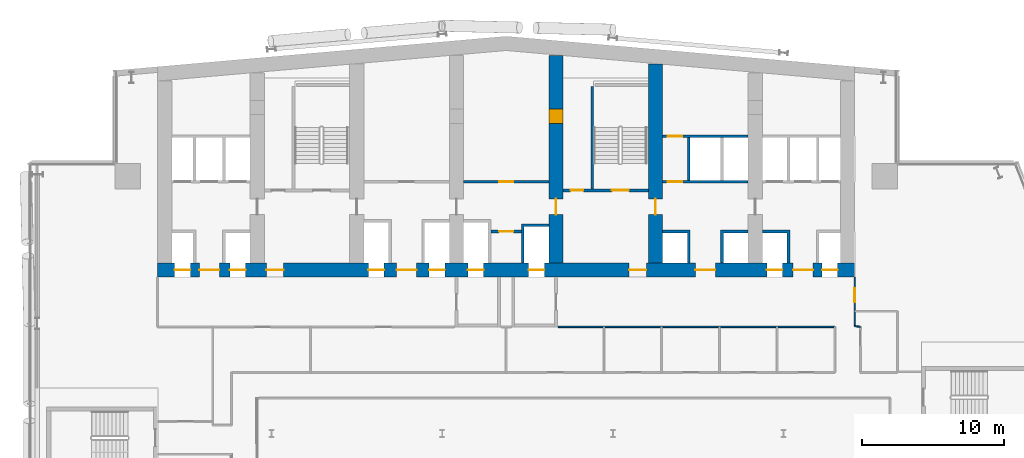
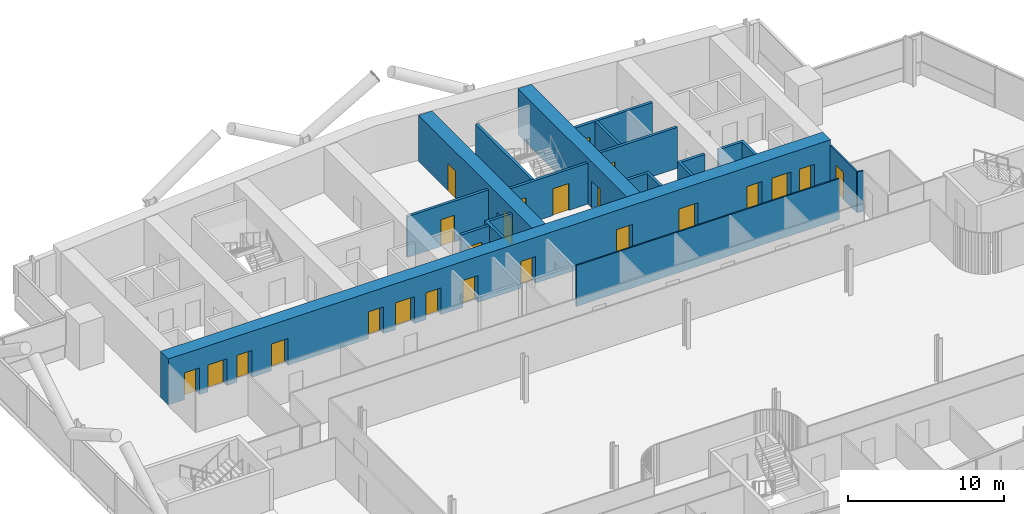
# One storey, part 21 of 30: 24 doors, 17 walls, 24 openings.
"""IFC4 building model written with IfcOpenShell, lengths in metres."""

from ifc_helpers import new_model, si_unit, direction, frame, frame_2d, origin, place, context, subcontext, project, spatial, polyline, rectangle, outline, extrude, material, layer, layer_set, type_object, element, fill, save


model = new_model("IFC4")

# Units and contexts
model_context = context("Model", 3, precision=1e-05, world=origin(), true_north=direction((0.0, 1.0)))
body_context = subcontext(model_context, "Body", "Model", "MODEL_VIEW")
ifc_project = project(units=[si_unit("LENGTHUNIT", "METRE"), si_unit("AREAUNIT", "SQUARE_METRE"), si_unit("VOLUMEUNIT", "CUBIC_METRE"), si_unit("PLANEANGLEUNIT", "RADIAN"), si_unit("MASSUNIT", "GRAM", prefix="KILO")], contexts=[model_context])

# Site, building, storey
site_placement = place(None, origin())
site = spatial("IfcSite", under=ifc_project, at=site_placement, CompositionType="ELEMENT")
building_placement = place(site_placement, origin())
building = spatial("IfcBuilding", under=site, at=building_placement, Name="Wharfspan Tower", CompositionType="ELEMENT")
storey_placement = place(building_placement, frame((0.0, 0.0, 100.300049)))
storey = spatial("IfcBuildingStorey", under=building, at=storey_placement, Name="L22", CompositionType="ELEMENT", Elevation=100.300049)

# Wall, opening, door
ifc_material_1 = material(Name="Gypsum board on steel studs", Category="steel")
ifc_layer_1 = layer(ifc_material_1, 0.100098)
ifc_layer_set_1 = layer_set([ifc_layer_1], Name="Gypsum board on steel studs")
wall_type_1 = type_object("IfcWallType", Name="Compartment wall 100 EI 60", PredefinedType="PARTITIONING", material=ifc_layer_set_1)
wall_1_placement = place(storey_placement, frame((65.0, 30.560059, 0.0), z_axis=(0.0, 0.0, 1.0), x_axis=(0.0, 1.0, 0.0)))
wall_1 = element("IfcWall", 1, at=wall_1_placement, inside=storey, type_object=wall_type_1, Name="Partition L22.w076", PredefinedType="PARTITIONING", context=body_context, shape_type="SweptSolid", body=[
    extrude(rectangle(XDim=3.419922, YDim=0.100098, at=frame_2d((1.709961, 0.0))), origin(), (0.0, 0.0, 1.0), 3.199951),
])
opening_1_placement = place(wall_1_placement, frame((1.659912, 0.0, 0.0)))
opening_1 = element("IfcOpeningElement", 2, at=opening_1_placement, cuts=wall_1, Name="Opening B2-22", PredefinedType="OPENING", context=body_context, shape_type="SweptSolid", body=[
    extrude(rectangle(XDim=1.0, YDim=2.100098, at=frame_2d((0.5, 1.050049))), frame((0.0, 0.060059, 0.0), z_axis=(0.0, -1.0, 0.0), x_axis=(1.0, 0.0, 0.0)), (0.0, 0.0, 1.0), 0.120117),
])
ifc_material_2 = material(Name="Fire-rated timber door leaf in steel frame", Category="steel")
door_type_1 = type_object("IfcDoorType", Name="Door 1000 FD30S Right", OperationType="SINGLE_SWING_RIGHT", PredefinedType="DOOR", material=ifc_material_2)
door_1_placement = place(opening_1_placement, origin())
door_1 = element("IfcDoor", 3, at=door_1_placement, inside=storey, type_object=door_type_1, Name="Door B2-22", OperationType="SINGLE_SWING_RIGHT", OverallHeight=2.100098, OverallWidth=1.0, PredefinedType="DOOR", context=body_context, shape_type="SweptSolid", body=[
    extrude(rectangle(XDim=1.0, YDim=2.100098, at=frame_2d((0.5, 1.050049))), frame((0.0, 0.024902, 0.0), z_axis=(0.0, -1.0, 0.0), x_axis=(1.0, 0.0, 0.0)), (0.0, 0.0, 1.0), 0.050049),
])
fill(opening_1, door_1)

# Walls
wall_2_placement = place(storey_placement, frame((65.39502, 30.5, 0.0), z_axis=(0.0, 0.0, 1.0), x_axis=(-0.988637, 0.150312, 0.0)))
element("IfcWall", 4, at=wall_2_placement, inside=storey, type_object=wall_type_1, Name="Partition L22.w078", PredefinedType="PARTITIONING", context=body_context, shape_type="SweptSolid", body=[
    extrude(rectangle(XDim=0.399658, YDim=0.100098, at=frame_2d((0.199707, 0.0))), origin(), (0.0, 0.0, 1.0), 3.199951),
])
wall_3_placement = place(storey_placement, frame((44.149902, 30.5, 0.0), z_axis=(0.0, 0.0, 1.0), x_axis=(1.0, 0.0, 0.0)))
element("IfcWall", 5, at=wall_3_placement, inside=storey, type_object=wall_type_1, Name="Partition L22.w005 (3)", PredefinedType="PARTITIONING", context=body_context, shape_type="SweptSolid", body=[
    extrude(rectangle(XDim=19.450195, YDim=0.100098, at=frame_2d((9.725098, 0.0))), origin(), (0.0, 0.0, 1.0), 3.199951),
])

# Wall, opening, door
ifc_material_3 = material(Name="Calcium silicate masonry", Category="masonry")
ifc_layer_2 = layer(ifc_material_3, 0.199951)
ifc_layer_set_2 = layer_set([ifc_layer_2], Name="Calcium silicate masonry")
wall_type_2 = type_object("IfcWallType", Name="Core room wall 200", PredefinedType="PARTITIONING", material=ifc_layer_set_2)
wall_4_placement = place(storey_placement, frame((39.43335, 37.199951, 0.0), z_axis=(0.0, 0.0, 1.0), x_axis=(1.0, 0.0, 0.0)))
wall_4 = element("IfcWall", 6, at=wall_4_placement, inside=storey, type_object=wall_type_2, Name="sw:L22:FR4.2", PredefinedType="PARTITIONING", context=body_context, shape_type="SweptSolid", body=[
    extrude(rectangle(XDim=2.133301, YDim=0.199951, at=frame_2d((1.06665, 0.0))), origin(), (0.0, 0.0, 1.0), 3.199951),
])
opening_2_placement = place(wall_4_placement, frame((0.56665, 0.0, 0.0)))
opening_2 = element("IfcOpeningElement", 7, at=opening_2_placement, cuts=wall_4, Name="Opening CD22.4H2", PredefinedType="OPENING", context=body_context, shape_type="SweptSolid", body=[
    extrude(rectangle(XDim=1.0, YDim=2.100098, at=frame_2d((0.5, 1.050049))), frame((0.0, 0.109863, 0.0), z_axis=(0.0, -1.0, 0.0), x_axis=(1.0, 0.0, 0.0)), (0.0, 0.0, 1.0), 0.219971),
])
ifc_material_4 = material(Name="Steel door leaf", Category="steel")
door_type_2 = type_object("IfcDoorType", Name="Core room door 1000x2100", OperationType="SINGLE_SWING_LEFT", PredefinedType="DOOR", material=ifc_material_4)
door_2_placement = place(opening_2_placement, origin())
door_2 = element("IfcDoor", 8, at=door_2_placement, inside=storey, type_object=door_type_2, Name="d:L22:4:fh4.2", OperationType="SINGLE_SWING_RIGHT", OverallHeight=2.100098, OverallWidth=1.0, PredefinedType="DOOR", context=body_context, shape_type="SweptSolid", body=[
    extrude(rectangle(XDim=1.0, YDim=2.100098, at=frame_2d((0.5, 1.050049))), frame((0.0, 0.024902, 0.0), z_axis=(0.0, -1.0, 0.0), x_axis=(1.0, 0.0, 0.0)), (0.0, 0.0, 1.0), 0.050049),
])
fill(opening_2, door_2)

# Wall, openings, doors
ifc_material_5 = material(Name="Concrete C70/85", Category="concrete")
ifc_layer_3 = layer(ifc_material_5, 1.0)
ifc_layer_set_3 = layer_set([ifc_layer_3], Name="Concrete C70/85")
wall_type_3 = type_object("IfcWallType", Name="Core wall 1000 C70/85", PredefinedType="SHEAR", material=ifc_layer_set_3)
wall_5_placement = place(storey_placement, frame((16.0, 34.5, 0.0), z_axis=(0.0, 0.0, 1.0), x_axis=(1.0, 0.0, 0.0)))
wall_5 = element("IfcWall", 9, at=wall_5_placement, inside=storey, type_object=wall_type_3, Name="Core front wall L22", PredefinedType="SHEAR", context=body_context, shape_type="SweptSolid", body=[
    extrude(rectangle(XDim=49.0, YDim=1.0, at=frame_2d((24.5, 0.0))), origin(), (0.0, 0.0, 1.0), 3.599854),
])
opening_3_placement = place(wall_5_placement, frame((1.199951, 0.0, 0.0)))
opening_3 = element("IfcOpeningElement", 10, at=opening_3_placement, cuts=wall_5, Name="Opening LD.LA1.L22", PredefinedType="OPENING", context=body_context, shape_type="SweptSolid", body=[
    extrude(rectangle(XDim=1.100098, YDim=2.100098, at=frame_2d((0.550049, 1.050049))), frame((0.0, 0.51001, 0.0), z_axis=(0.0, -1.0, 0.0), x_axis=(1.0, 0.0, 0.0)), (0.0, 0.0, 1.0), 1.02002),
])
opening_4_placement = place(wall_5_placement, frame((5.083252, 0.0, 0.0)))
opening_4 = element("IfcOpeningElement", 11, at=opening_4_placement, cuts=wall_5, Name="Opening LD.LA2.L22", PredefinedType="OPENING", context=body_context, shape_type="SweptSolid", body=[
    extrude(rectangle(XDim=1.100098, YDim=2.100098, at=frame_2d((0.550049, 1.050049))), frame((0.0, 0.51001, 0.0), z_axis=(0.0, -1.0, 0.0), x_axis=(1.0, 0.0, 0.0)), (0.0, 0.0, 1.0), 1.02002),
])
opening_5_placement = place(wall_5_placement, frame((2.93335, 0.0, 0.0)))
opening_5 = element("IfcOpeningElement", 12, at=opening_5_placement, cuts=wall_5, Name="Opening HD22.1", PredefinedType="OPENING", context=body_context, shape_type="SweptSolid", body=[
    extrude(rectangle(XDim=1.399902, YDim=2.100098, at=frame_2d((0.699951, 1.050049))), frame((0.0, 0.51001, 0.0), z_axis=(0.0, -1.0, 0.0), x_axis=(1.0, 0.0, 0.0)), (0.0, 0.0, 1.0), 1.02002),
])
opening_6_placement = place(wall_5_placement, frame((7.649902, 0.0, 0.0)))
opening_6 = element("IfcOpeningElement", 13, at=opening_6_placement, cuts=wall_5, Name="Opening SV2.L22", PredefinedType="OPENING", context=body_context, shape_type="SweptSolid", body=[
    extrude(rectangle(XDim=1.199951, YDim=2.100098, at=frame_2d((0.600098, 1.050049))), frame((0.0, 0.51001, 0.0), z_axis=(0.0, -1.0, 0.0), x_axis=(1.0, 0.0, 0.0)), (0.0, 0.0, 1.0), 1.02002),
])
opening_7_placement = place(wall_5_placement, frame((14.81665, 0.0, 0.0)))
opening_7 = element("IfcOpeningElement", 14, at=opening_7_placement, cuts=wall_5, Name="Opening LD.SL1.L22", PredefinedType="OPENING", context=body_context, shape_type="SweptSolid", body=[
    extrude(rectangle(XDim=1.100098, YDim=2.100098, at=frame_2d((0.550049, 1.050049))), frame((0.0, 0.51001, 0.0), z_axis=(0.0, -1.0, 0.0), x_axis=(1.0, 0.0, 0.0)), (0.0, 0.0, 1.0), 1.02002),
])
opening_8_placement = place(wall_5_placement, frame((19.083252, 0.0, 0.0)))
opening_8 = element("IfcOpeningElement", 15, at=opening_8_placement, cuts=wall_5, Name="Opening LD.SL2.L22", PredefinedType="OPENING", context=body_context, shape_type="SweptSolid", body=[
    extrude(rectangle(XDim=1.100098, YDim=2.100098, at=frame_2d((0.550049, 1.050049))), frame((0.0, 0.51001, 0.0), z_axis=(0.0, -1.0, 0.0), x_axis=(1.0, 0.0, 0.0)), (0.0, 0.0, 1.0), 1.02002),
])
opening_9_placement = place(wall_5_placement, frame((16.800049, 0.0, 0.0)))
opening_9 = element("IfcOpeningElement", 16, at=opening_9_placement, cuts=wall_5, Name="Opening HD22.3", PredefinedType="OPENING", context=body_context, shape_type="SweptSolid", body=[
    extrude(rectangle(XDim=1.399902, YDim=2.100098, at=frame_2d((0.699951, 1.050049))), frame((0.0, 0.51001, 0.0), z_axis=(0.0, -1.0, 0.0), x_axis=(1.0, 0.0, 0.0)), (0.0, 0.0, 1.0), 1.02002),
])
opening_10_placement = place(wall_5_placement, frame((21.81665, 0.0, 0.0)))
opening_10 = element("IfcOpeningElement", 17, at=opening_10_placement, cuts=wall_5, Name="Opening LD.FF1.L22", PredefinedType="OPENING", context=body_context, shape_type="SweptSolid", body=[
    extrude(rectangle(XDim=1.100098, YDim=2.100098, at=frame_2d((0.550049, 1.050049))), frame((0.0, 0.51001, 0.0), z_axis=(0.0, -1.0, 0.0), x_axis=(1.0, 0.0, 0.0)), (0.0, 0.0, 1.0), 1.02002),
])
opening_11_placement = place(wall_5_placement, frame((26.083252, 0.0, 0.0)))
opening_11 = element("IfcOpeningElement", 18, at=opening_11_placement, cuts=wall_5, Name="Opening LD.FF2.L22", PredefinedType="OPENING", context=body_context, shape_type="SweptSolid", body=[
    extrude(rectangle(XDim=1.100098, YDim=2.100098, at=frame_2d((0.550049, 1.050049))), frame((0.0, 0.51001, 0.0), z_axis=(0.0, -1.0, 0.0), x_axis=(1.0, 0.0, 0.0)), (0.0, 0.0, 1.0), 1.02002),
])
opening_12_placement = place(wall_5_placement, frame((33.149902, 0.0, 0.0)))
opening_12 = element("IfcOpeningElement", 19, at=opening_12_placement, cuts=wall_5, Name="Opening SV5.L22", PredefinedType="OPENING", context=body_context, shape_type="SweptSolid", body=[
    extrude(rectangle(XDim=1.199951, YDim=2.100098, at=frame_2d((0.600098, 1.050049))), frame((0.0, 0.51001, 0.0), z_axis=(0.0, -1.0, 0.0), x_axis=(1.0, 0.0, 0.0)), (0.0, 0.0, 1.0), 1.02002),
])
opening_13_placement = place(wall_5_placement, frame((37.800049, 0.0, 0.0)))
opening_13 = element("IfcOpeningElement", 20, at=opening_13_placement, cuts=wall_5, Name="Opening HD22.6", PredefinedType="OPENING", context=body_context, shape_type="SweptSolid", body=[
    extrude(rectangle(XDim=1.399902, YDim=2.100098, at=frame_2d((0.699951, 1.050049))), frame((0.0, 0.51001, 0.0), z_axis=(0.0, -1.0, 0.0), x_axis=(1.0, 0.0, 0.0)), (0.0, 0.0, 1.0), 1.02002),
])
opening_14_placement = place(wall_5_placement, frame((42.81665, 0.0, 0.0)))
opening_14 = element("IfcOpeningElement", 21, at=opening_14_placement, cuts=wall_5, Name="Opening LD.LA6.L22", PredefinedType="OPENING", context=body_context, shape_type="SweptSolid", body=[
    extrude(rectangle(XDim=1.100098, YDim=2.100098, at=frame_2d((0.550049, 1.050049))), frame((0.0, 0.51001, 0.0), z_axis=(0.0, -1.0, 0.0), x_axis=(1.0, 0.0, 0.0)), (0.0, 0.0, 1.0), 1.02002),
])
opening_15_placement = place(wall_5_placement, frame((46.699951, 0.0, 0.0)))
opening_15 = element("IfcOpeningElement", 22, at=opening_15_placement, cuts=wall_5, Name="Opening LD.LA7.L22", PredefinedType="OPENING", context=body_context, shape_type="SweptSolid", body=[
    extrude(rectangle(XDim=1.100098, YDim=2.100098, at=frame_2d((0.550049, 1.050049))), frame((0.0, 0.51001, 0.0), z_axis=(0.0, -1.0, 0.0), x_axis=(1.0, 0.0, 0.0)), (0.0, 0.0, 1.0), 1.02002),
])
opening_16_placement = place(wall_5_placement, frame((44.666748, 0.0, 0.0)))
opening_16 = element("IfcOpeningElement", 23, at=opening_16_placement, cuts=wall_5, Name="Opening HD22.7", PredefinedType="OPENING", context=body_context, shape_type="SweptSolid", body=[
    extrude(rectangle(XDim=1.399902, YDim=2.100098, at=frame_2d((0.699951, 1.050049))), frame((0.0, 0.51001, 0.0), z_axis=(0.0, -1.0, 0.0), x_axis=(1.0, 0.0, 0.0)), (0.0, 0.0, 1.0), 1.02002),
])
door_type_3 = type_object("IfcDoorType", Name="Hall entry door 1400x2100", OperationType="DOUBLE_DOOR_SINGLE_SWING", PredefinedType="DOOR", material=ifc_material_4)
door_3_placement = place(opening_5_placement, origin())
door_3 = element("IfcDoor", 24, at=door_3_placement, inside=storey, type_object=door_type_3, Name="d:L22:1:hd1", OperationType="DOUBLE_DOOR_SINGLE_SWING", OverallHeight=2.100098, OverallWidth=1.399902, PredefinedType="DOOR", context=body_context, shape_type="SweptSolid", body=[
    extrude(rectangle(XDim=1.399902, YDim=2.100098, at=frame_2d((0.699951, 1.050049))), frame((0.0, 0.024902, 0.0), z_axis=(0.0, -1.0, 0.0), x_axis=(1.0, 0.0, 0.0)), (0.0, 0.0, 1.0), 0.050049),
])
fill(opening_5, door_3)
door_4_placement = place(opening_9_placement, origin())
door_4 = element("IfcDoor", 25, at=door_4_placement, inside=storey, type_object=door_type_3, Name="d:L22:3:hd3", OperationType="DOUBLE_DOOR_SINGLE_SWING", OverallHeight=2.100098, OverallWidth=1.399902, PredefinedType="DOOR", context=body_context, shape_type="SweptSolid", body=[
    extrude(rectangle(XDim=1.399902, YDim=2.100098, at=frame_2d((0.699951, 1.050049))), frame((0.0, 0.024902, 0.0), z_axis=(0.0, -1.0, 0.0), x_axis=(1.0, 0.0, 0.0)), (0.0, 0.0, 1.0), 0.050049),
])
fill(opening_9, door_4)
door_5_placement = place(opening_13_placement, origin())
door_5 = element("IfcDoor", 26, at=door_5_placement, inside=storey, type_object=door_type_3, Name="d:L22:6:hd6", OperationType="DOUBLE_DOOR_SINGLE_SWING", OverallHeight=2.100098, OverallWidth=1.399902, PredefinedType="DOOR", context=body_context, shape_type="SweptSolid", body=[
    extrude(rectangle(XDim=1.399902, YDim=2.100098, at=frame_2d((0.699951, 1.050049))), frame((0.0, 0.024902, 0.0), z_axis=(0.0, -1.0, 0.0), x_axis=(1.0, 0.0, 0.0)), (0.0, 0.0, 1.0), 0.050049),
])
fill(opening_13, door_5)
door_6_placement = place(opening_16_placement, origin())
door_6 = element("IfcDoor", 27, at=door_6_placement, inside=storey, type_object=door_type_3, Name="d:L22:7:hd7", OperationType="DOUBLE_DOOR_SINGLE_SWING", OverallHeight=2.100098, OverallWidth=1.399902, PredefinedType="DOOR", context=body_context, shape_type="SweptSolid", body=[
    extrude(rectangle(XDim=1.399902, YDim=2.100098, at=frame_2d((0.699951, 1.050049))), frame((0.0, 0.024902, 0.0), z_axis=(0.0, -1.0, 0.0), x_axis=(1.0, 0.0, 0.0)), (0.0, 0.0, 1.0), 0.050049),
])
fill(opening_16, door_6)
ifc_material_6 = material(Name="Stainless steel", Category="steel")
door_type_4 = type_object("IfcDoorType", Name="Lift landing door 1100x2100", OperationType="DOUBLE_DOOR_SLIDING", PredefinedType="DOOR", material=ifc_material_6)
door_7_placement = place(opening_3_placement, origin())
door_7 = element("IfcDoor", 28, at=door_7_placement, inside=storey, type_object=door_type_4, Name="Landing door LA1 L22", OperationType="DOUBLE_DOOR_SLIDING", OverallHeight=2.100098, OverallWidth=1.100098, PredefinedType="DOOR", context=body_context, shape_type="SweptSolid", body=[
    extrude(rectangle(XDim=1.100098, YDim=2.100098, at=frame_2d((0.550049, 1.050049))), frame((0.0, 0.024902, 0.0), z_axis=(0.0, -1.0, 0.0), x_axis=(1.0, 0.0, 0.0)), (0.0, 0.0, 1.0), 0.050049),
])
fill(opening_3, door_7)
door_8_placement = place(opening_4_placement, origin())
door_8 = element("IfcDoor", 29, at=door_8_placement, inside=storey, type_object=door_type_4, Name="Landing door LA2 L22", OperationType="DOUBLE_DOOR_SLIDING", OverallHeight=2.100098, OverallWidth=1.100098, PredefinedType="DOOR", context=body_context, shape_type="SweptSolid", body=[
    extrude(rectangle(XDim=1.100098, YDim=2.100098, at=frame_2d((0.550049, 1.050049))), frame((0.0, 0.024902, 0.0), z_axis=(0.0, -1.0, 0.0), x_axis=(1.0, 0.0, 0.0)), (0.0, 0.0, 1.0), 0.050049),
])
fill(opening_4, door_8)
door_9_placement = place(opening_7_placement, origin())
door_9 = element("IfcDoor", 30, at=door_9_placement, inside=storey, type_object=door_type_4, Name="Landing door SL1 L22", OperationType="DOUBLE_DOOR_SLIDING", OverallHeight=2.100098, OverallWidth=1.100098, PredefinedType="DOOR", context=body_context, shape_type="SweptSolid", body=[
    extrude(rectangle(XDim=1.100098, YDim=2.100098, at=frame_2d((0.550049, 1.050049))), frame((0.0, 0.024902, 0.0), z_axis=(0.0, -1.0, 0.0), x_axis=(1.0, 0.0, 0.0)), (0.0, 0.0, 1.0), 0.050049),
])
fill(opening_7, door_9)
door_10_placement = place(opening_8_placement, origin())
door_10 = element("IfcDoor", 31, at=door_10_placement, inside=storey, type_object=door_type_4, Name="Landing door SL2 L22", OperationType="DOUBLE_DOOR_SLIDING", OverallHeight=2.100098, OverallWidth=1.100098, PredefinedType="DOOR", context=body_context, shape_type="SweptSolid", body=[
    extrude(rectangle(XDim=1.100098, YDim=2.100098, at=frame_2d((0.550049, 1.050049))), frame((0.0, 0.024902, 0.0), z_axis=(0.0, -1.0, 0.0), x_axis=(1.0, 0.0, 0.0)), (0.0, 0.0, 1.0), 0.050049),
])
fill(opening_8, door_10)
door_11_placement = place(opening_10_placement, origin())
door_11 = element("IfcDoor", 32, at=door_11_placement, inside=storey, type_object=door_type_4, Name="Landing door FF1 L22", OperationType="DOUBLE_DOOR_SLIDING", OverallHeight=2.100098, OverallWidth=1.100098, PredefinedType="DOOR", context=body_context, shape_type="SweptSolid", body=[
    extrude(rectangle(XDim=1.100098, YDim=2.100098, at=frame_2d((0.550049, 1.050049))), frame((0.0, 0.024902, 0.0), z_axis=(0.0, -1.0, 0.0), x_axis=(1.0, 0.0, 0.0)), (0.0, 0.0, 1.0), 0.050049),
])
fill(opening_10, door_11)
door_12_placement = place(opening_11_placement, origin())
door_12 = element("IfcDoor", 33, at=door_12_placement, inside=storey, type_object=door_type_4, Name="Landing door FF2 L22", OperationType="DOUBLE_DOOR_SLIDING", OverallHeight=2.100098, OverallWidth=1.100098, PredefinedType="DOOR", context=body_context, shape_type="SweptSolid", body=[
    extrude(rectangle(XDim=1.100098, YDim=2.100098, at=frame_2d((0.550049, 1.050049))), frame((0.0, 0.024902, 0.0), z_axis=(0.0, -1.0, 0.0), x_axis=(1.0, 0.0, 0.0)), (0.0, 0.0, 1.0), 0.050049),
])
fill(opening_11, door_12)
door_13_placement = place(opening_14_placement, origin())
door_13 = element("IfcDoor", 34, at=door_13_placement, inside=storey, type_object=door_type_4, Name="Landing door LA6 L22", OperationType="DOUBLE_DOOR_SLIDING", OverallHeight=2.100098, OverallWidth=1.100098, PredefinedType="DOOR", context=body_context, shape_type="SweptSolid", body=[
    extrude(rectangle(XDim=1.100098, YDim=2.100098, at=frame_2d((0.550049, 1.050049))), frame((0.0, 0.024902, 0.0), z_axis=(0.0, -1.0, 0.0), x_axis=(1.0, 0.0, 0.0)), (0.0, 0.0, 1.0), 0.050049),
])
fill(opening_14, door_13)
door_14_placement = place(opening_15_placement, origin())
door_14 = element("IfcDoor", 35, at=door_14_placement, inside=storey, type_object=door_type_4, Name="Landing door LA7 L22", OperationType="DOUBLE_DOOR_SLIDING", OverallHeight=2.100098, OverallWidth=1.100098, PredefinedType="DOOR", context=body_context, shape_type="SweptSolid", body=[
    extrude(rectangle(XDim=1.100098, YDim=2.100098, at=frame_2d((0.550049, 1.050049))), frame((0.0, 0.024902, 0.0), z_axis=(0.0, -1.0, 0.0), x_axis=(1.0, 0.0, 0.0)), (0.0, 0.0, 1.0), 0.050049),
])
fill(opening_15, door_14)
door_type_5 = type_object("IfcDoorType", Name="Stair door 1200x2100", OperationType="SINGLE_SWING_LEFT", PredefinedType="DOOR", material=ifc_material_4)
door_15_placement = place(opening_6_placement, origin())
door_15 = element("IfcDoor", 36, at=door_15_placement, inside=storey, type_object=door_type_5, Name="vd:L22:2", OperationType="SINGLE_SWING_LEFT", OverallHeight=2.100098, OverallWidth=1.199951, PredefinedType="DOOR", context=body_context, shape_type="SweptSolid", body=[
    extrude(rectangle(XDim=1.199951, YDim=2.100098, at=frame_2d((0.600098, 1.050049))), frame((0.0, 0.024902, 0.0), z_axis=(0.0, -1.0, 0.0), x_axis=(1.0, 0.0, 0.0)), (0.0, 0.0, 1.0), 0.050049),
])
fill(opening_6, door_15)
door_16_placement = place(opening_12_placement, origin())
door_16 = element("IfcDoor", 37, at=door_16_placement, inside=storey, type_object=door_type_5, Name="vd:L22:5", OperationType="SINGLE_SWING_LEFT", OverallHeight=2.100098, OverallWidth=1.199951, PredefinedType="DOOR", context=body_context, shape_type="SweptSolid", body=[
    extrude(rectangle(XDim=1.199951, YDim=2.100098, at=frame_2d((0.600098, 1.050049))), frame((0.0, 0.024902, 0.0), z_axis=(0.0, -1.0, 0.0), x_axis=(1.0, 0.0, 0.0)), (0.0, 0.0, 1.0), 0.050049),
])
fill(opening_12, door_16)

wall_6_placement = place(storey_placement, frame((44.0, 35.0, 0.0), z_axis=(0.0, 0.0, 1.0), x_axis=(0.0, 1.0, 0.0)))
wall_6 = element("IfcWall", 38, at=wall_6_placement, inside=storey, type_object=wall_type_3, Name="Core cross wall X5 L22", PredefinedType="SHEAR", context=body_context, shape_type="SweptSolid", body=[
    extrude(rectangle(XDim=14.577148, YDim=1.0, at=frame_2d((7.288574, 0.0))), origin(), (0.0, 0.0, 1.0), 3.599854),
])
opening_17_placement = place(wall_6_placement, frame((3.399902, 0.0, 0.0)))
opening_17 = element("IfcOpeningElement", 39, at=opening_17_placement, cuts=wall_6, Name="Opening CC22.5", PredefinedType="OPENING", context=body_context, shape_type="SweptSolid", body=[
    extrude(rectangle(XDim=1.100098, YDim=2.100098, at=frame_2d((0.550049, 1.050049))), frame((0.0, 0.51001, 0.0), z_axis=(0.0, -1.0, 0.0), x_axis=(1.0, 0.0, 0.0)), (0.0, 0.0, 1.0), 1.02002),
])
opening_18_placement = place(wall_6_placement, frame((9.800049, 0.0, 0.0)))
opening_18 = element("IfcOpeningElement", 40, at=opening_18_placement, cuts=wall_6, Name="Opening CR22.5", PredefinedType="OPENING", context=body_context, shape_type="SweptSolid", body=[
    extrude(rectangle(XDim=1.0, YDim=2.100098, at=frame_2d((0.5, 1.050049))), frame((0.0, 0.51001, 0.0), z_axis=(0.0, -1.0, 0.0), x_axis=(1.0, 0.0, 0.0)), (0.0, 0.0, 1.0), 1.02002),
])
door_type_6 = type_object("IfcDoorType", Name="Core corridor door 1100x2100", OperationType="SINGLE_SWING_LEFT", PredefinedType="DOOR", material=ifc_material_4)
door_17_placement = place(opening_17_placement, origin())
door_17 = element("IfcDoor", 41, at=door_17_placement, inside=storey, type_object=door_type_6, Name="xd:L22:5", OperationType="SINGLE_SWING_LEFT", OverallHeight=2.100098, OverallWidth=1.100098, PredefinedType="DOOR", context=body_context, shape_type="SweptSolid", body=[
    extrude(rectangle(XDim=1.100098, YDim=2.100098, at=frame_2d((0.550049, 1.050049))), frame((0.0, 0.024902, 0.0), z_axis=(0.0, -1.0, 0.0), x_axis=(1.0, 0.0, 0.0)), (0.0, 0.0, 1.0), 0.050049),
])
fill(opening_17, door_17)
door_18_placement = place(opening_18_placement, origin())
door_18 = element("IfcDoor", 42, at=door_18_placement, inside=storey, type_object=door_type_2, Name="xr:L22:5", OperationType="SINGLE_SWING_RIGHT", OverallHeight=2.100098, OverallWidth=1.0, PredefinedType="DOOR", context=body_context, shape_type="SweptSolid", body=[
    extrude(rectangle(XDim=1.0, YDim=2.100098, at=frame_2d((0.5, 1.050049))), frame((0.0, 0.499756, 0.0), z_axis=(0.0, -1.0, 0.0), x_axis=(1.0, 0.0, 0.0)), (0.0, 0.0, 1.0), 0.999512),
])
fill(opening_18, door_18)

# Wall, opening, door
wall_7_placement = place(storey_placement, frame((51.0, 35.0, 0.0), z_axis=(0.0, 0.0, 1.0), x_axis=(0.0, 1.0, 0.0)))
wall_7 = element("IfcWall", 43, at=wall_7_placement, inside=storey, type_object=wall_type_3, Name="Core cross wall X6 L22", PredefinedType="SHEAR", context=body_context, shape_type="SweptSolid", body=[
    extrude(rectangle(XDim=13.9646, YDim=1.0, at=frame_2d((6.982422, 0.0))), origin(), (0.0, 0.0, 1.0), 3.599854),
])
opening_19_placement = place(wall_7_placement, frame((3.399902, 0.0, 0.0)))
opening_19 = element("IfcOpeningElement", 44, at=opening_19_placement, cuts=wall_7, Name="Opening CC22.6", PredefinedType="OPENING", context=body_context, shape_type="SweptSolid", body=[
    extrude(rectangle(XDim=1.100098, YDim=2.100098, at=frame_2d((0.550049, 1.050049))), frame((0.0, 0.51001, 0.0), z_axis=(0.0, -1.0, 0.0), x_axis=(1.0, 0.0, 0.0)), (0.0, 0.0, 1.0), 1.02002),
])
door_19_placement = place(opening_19_placement, origin())
door_19 = element("IfcDoor", 45, at=door_19_placement, inside=storey, type_object=door_type_6, Name="xd:L22:6", OperationType="SINGLE_SWING_RIGHT", OverallHeight=2.100098, OverallWidth=1.100098, PredefinedType="DOOR", context=body_context, shape_type="SweptSolid", body=[
    extrude(rectangle(XDim=1.100098, YDim=2.100098, at=frame_2d((0.550049, 1.050049))), frame((0.0, 0.024902, 0.0), z_axis=(0.0, -1.0, 0.0), x_axis=(1.0, 0.0, 0.0)), (0.0, 0.0, 1.0), 0.050049),
])
fill(opening_19, door_19)

ifc_material_7 = material(Name="Concrete C30/37", Category="concrete")
ifc_layer_4 = layer(ifc_material_7, 0.199951)
ifc_layer_set_4 = layer_set([ifc_layer_4], Name="Concrete C30/37")
wall_type_4 = type_object("IfcWallType", Name="Lift shaft wall 200", PredefinedType="PARTITIONING", material=ifc_layer_set_4)
wall_8_placement = place(storey_placement, frame((37.5, 40.699951, 0.0), z_axis=(0.0, 0.0, 1.0), x_axis=(1.0, 0.0, 0.0)))
wall_8 = element("IfcWall", 46, at=wall_8_placement, inside=storey, type_object=wall_type_4, Name="sw:L22:RF4", PredefinedType="PARTITIONING", context=body_context, shape_type="SweptSolid", body=[
    extrude(rectangle(XDim=6.0, YDim=0.199951, at=frame_2d((3.0, 0.0))), origin(), (0.0, 0.0, 1.0), 3.199951),
])
opening_20_placement = place(wall_8_placement, frame((2.5, 0.0, 0.0)))
opening_20 = element("IfcOpeningElement", 47, at=opening_20_placement, cuts=wall_8, Name="Opening CD22.4S", PredefinedType="OPENING", context=body_context, shape_type="SweptSolid", body=[
    extrude(rectangle(XDim=1.0, YDim=2.100098, at=frame_2d((0.5, 1.050049))), frame((0.0, 0.109863, 0.0), z_axis=(0.0, -1.0, 0.0), x_axis=(1.0, 0.0, 0.0)), (0.0, 0.0, 1.0), 0.219971),
])
door_20_placement = place(opening_20_placement, origin())
door_20 = element("IfcDoor", 48, at=door_20_placement, inside=storey, type_object=door_type_2, Name="d:L22:4:sf", OperationType="SINGLE_SWING_LEFT", OverallHeight=2.100098, OverallWidth=1.0, PredefinedType="DOOR", context=body_context, shape_type="SweptSolid", body=[
    extrude(rectangle(XDim=1.0, YDim=2.100098, at=frame_2d((0.5, 1.050049))), frame((0.0, 0.024902, 0.0), z_axis=(0.0, -1.0, 0.0), x_axis=(1.0, 0.0, 0.0)), (0.0, 0.0, 1.0), 0.050049),
])
fill(opening_20, door_20)

# Wall
wall_9_placement = place(storey_placement, frame((0.0, 0.0, -0.000244)))
element("IfcWall", 49, at=wall_9_placement, inside=storey, type_object=wall_type_4, Name="sw:L22:FM4.0", PredefinedType="PARTITIONING", context=body_context, shape_type="SweptSolid", body=[
    extrude(outline(polyline([(41.56665, 37.75), (41.766602, 37.75), (43.5, 37.75), (43.5, 37.550049), (41.766602, 37.550049), (41.766602, 35.0), (41.56665, 35.0), (41.56665, 37.75)])), origin(), (0.0, 0.0, 1.0), 3.200195),
])

# Wall, opening, door
wall_10_placement = place(storey_placement, frame((51.5, 40.699951, 0.0), z_axis=(0.0, 0.0, 1.0), x_axis=(1.0, 0.0, 0.0)))
wall_10 = element("IfcWall", 50, at=wall_10_placement, inside=storey, type_object=wall_type_4, Name="sw:L22:RF6", PredefinedType="PARTITIONING", context=body_context, shape_type="SweptSolid", body=[
    extrude(rectangle(XDim=6.0, YDim=0.199951, at=frame_2d((3.0, 0.0))), origin(), (0.0, 0.0, 1.0), 3.199951),
])
opening_21_placement = place(wall_10_placement, frame((0.366699, 0.0, 0.0)))
opening_21 = element("IfcOpeningElement", 51, at=opening_21_placement, cuts=wall_10, Name="Opening CD22.6R1", PredefinedType="OPENING", context=body_context, shape_type="SweptSolid", body=[
    extrude(rectangle(XDim=1.0, YDim=2.100098, at=frame_2d((0.5, 1.050049))), frame((0.0, 0.109863, 0.0), z_axis=(0.0, -1.0, 0.0), x_axis=(1.0, 0.0, 0.0)), (0.0, 0.0, 1.0), 0.219971),
])
door_21_placement = place(opening_21_placement, origin())
door_21 = element("IfcDoor", 52, at=door_21_placement, inside=storey, type_object=door_type_2, Name="d:L22:6:rd6.1", OperationType="SINGLE_SWING_RIGHT", OverallHeight=2.100098, OverallWidth=1.0, PredefinedType="DOOR", context=body_context, shape_type="SweptSolid", body=[
    extrude(rectangle(XDim=1.0, YDim=2.100098, at=frame_2d((0.5, 1.050049))), frame((0.0, 0.024902, 0.0), z_axis=(0.0, -1.0, 0.0), x_axis=(1.0, 0.0, 0.0)), (0.0, 0.0, 1.0), 0.050049),
])
fill(opening_21, door_21)

wall_11_placement = place(storey_placement, frame((51.5, 43.899902, 0.0), z_axis=(0.0, 0.0, 1.0), x_axis=(1.0, 0.0, 0.0)))
wall_11 = element("IfcWall", 53, at=wall_11_placement, inside=storey, type_object=wall_type_4, Name="sw:L22:RR6", PredefinedType="PARTITIONING", context=body_context, shape_type="SweptSolid", body=[
    extrude(rectangle(XDim=6.0, YDim=0.199951, at=frame_2d((3.0, 0.0))), origin(), (0.0, 0.0, 1.0), 3.199951),
])
opening_22_placement = place(wall_11_placement, frame((0.366699, 0.0, 0.0)))
opening_22 = element("IfcOpeningElement", 54, at=opening_22_placement, cuts=wall_11, Name="Opening CD22.6S1", PredefinedType="OPENING", context=body_context, shape_type="SweptSolid", body=[
    extrude(rectangle(XDim=1.0, YDim=2.100098, at=frame_2d((0.5, 1.050049))), frame((0.0, 0.109863, 0.0), z_axis=(0.0, -1.0, 0.0), x_axis=(1.0, 0.0, 0.0)), (0.0, 0.0, 1.0), 0.219971),
])
door_22_placement = place(opening_22_placement, origin())
door_22 = element("IfcDoor", 55, at=door_22_placement, inside=storey, type_object=door_type_2, Name="d:L22:6:rs6.1", OperationType="SINGLE_SWING_LEFT", OverallHeight=2.100098, OverallWidth=1.0, PredefinedType="DOOR", context=body_context, shape_type="SweptSolid", body=[
    extrude(rectangle(XDim=1.0, YDim=2.100098, at=frame_2d((0.5, 1.050049))), frame((0.0, 0.024902, 0.0), z_axis=(0.0, -1.0, 0.0), x_axis=(1.0, 0.0, 0.0)), (0.0, 0.0, 1.0), 0.050049),
])
fill(opening_22, door_22)

# Walls
wall_12_placement = place(storey_placement, frame((0.0, 0.0, -0.000244)))
element("IfcWall", 56, at=wall_12_placement, inside=storey, type_object=wall_type_4, Name="sw:L22:FM6.0", PredefinedType="PARTITIONING", context=body_context, shape_type="SweptSolid", body=[
    extrude(outline(polyline([(53.233398, 37.100098), (51.5, 37.100098), (51.5, 37.300049), (53.233398, 37.300049), (53.43335, 37.300049), (53.43335, 35.0), (53.233398, 35.0), (53.233398, 37.100098)])), origin(), (0.0, 0.0, 1.0), 3.200195),
])
wall_13_placement = place(storey_placement, frame((0.0, 0.0, -0.000244)))
element("IfcWall", 57, at=wall_13_placement, inside=storey, type_object=wall_type_4, Name="sw:L22:FM6.1", PredefinedType="PARTITIONING", context=body_context, shape_type="SweptSolid", body=[
    extrude(outline(polyline([(55.56665, 37.300049), (55.766602, 37.300049), (57.5, 37.300049), (57.5, 37.100098), (55.766602, 37.100098), (55.766602, 35.0), (55.56665, 35.0), (55.56665, 37.300049)])), origin(), (0.0, 0.0, 1.0), 3.200195),
])
wall_14_placement = place(storey_placement, frame((0.0, 0.0, -0.000244)))
element("IfcWall", 58, at=wall_14_placement, inside=storey, type_object=wall_type_4, Name="sw:L22:RM6.0", PredefinedType="PARTITIONING", context=body_context, shape_type="SweptSolid", body=[
    extrude(outline(polyline([(53.233398, 40.800049), (53.233398, 43.800049), (53.43335, 43.800049), (53.43335, 40.800049), (53.233398, 40.800049)])), origin(), (0.0, 0.0, 1.0), 3.200195),
])
wall_15_placement = place(storey_placement, frame((0.0, 0.0, -0.000244)))
element("IfcWall", 59, at=wall_15_placement, inside=storey, type_object=wall_type_4, Name="sw:L22:FM7.0", PredefinedType="PARTITIONING", context=body_context, shape_type="SweptSolid", body=[
    extrude(outline(polyline([(60.233398, 37.100098), (58.5, 37.100098), (58.5, 37.300049), (60.233398, 37.300049), (60.43335, 37.300049), (60.43335, 35.0), (60.233398, 35.0), (60.233398, 37.100098)])), origin(), (0.0, 0.0, 1.0), 3.200195),
])

# Wall, openings, doors
ifc_material_8 = material(Name="Concrete C40/50", Category="concrete")
ifc_layer_5 = layer(ifc_material_8, 0.199951)
ifc_layer_set_5 = layer_set([ifc_layer_5], Name="Concrete C40/50")
wall_type_5 = type_object("IfcWallType", Name="Stair shaft wall 200", PredefinedType="SHEAR", material=ifc_layer_set_5)
wall_16_placement = place(storey_placement, frame((44.5, 40.100098, 0.0), z_axis=(0.0, 0.0, 1.0), x_axis=(1.0, 0.0, 0.0)))
wall_16 = element("IfcWall", 60, at=wall_16_placement, inside=storey, type_object=wall_type_5, Name="ST2 stair enclosure wall L22", PredefinedType="SHEAR", context=body_context, shape_type="SweptSolid", body=[
    extrude(rectangle(XDim=6.0, YDim=0.199951, at=frame_2d((3.0, 0.0))), origin(), (0.0, 0.0, 1.0), 3.199951),
])
opening_23_placement = place(wall_16_placement, frame((3.425049, 0.0, 0.0)))
opening_23 = element("IfcOpeningElement", 61, at=opening_23_placement, cuts=wall_16, Name="Opening SD5.L22", PredefinedType="OPENING", context=body_context, shape_type="SweptSolid", body=[
    extrude(rectangle(XDim=1.199951, YDim=2.100098, at=frame_2d((0.600098, 1.050049))), frame((0.0, 0.109863, 0.0), z_axis=(0.0, -1.0, 0.0), x_axis=(1.0, 0.0, 0.0)), (0.0, 0.0, 1.0), 0.219971),
])
opening_24_placement = place(wall_16_placement, frame((0.524902, 0.0, 0.0)))
opening_24 = element("IfcOpeningElement", 62, at=opening_24_placement, cuts=wall_16, Name="Opening CD22.5R", PredefinedType="OPENING", context=body_context, shape_type="SweptSolid", body=[
    extrude(rectangle(XDim=0.899902, YDim=2.100098, at=frame_2d((0.449951, 1.050049))), frame((0.0, 0.109863, 0.0), z_axis=(0.0, -1.0, 0.0), x_axis=(1.0, 0.0, 0.0)), (0.0, 0.0, 1.0), 0.219971),
])
door_23_placement = place(opening_24_placement, origin())
door_23 = element("IfcDoor", 63, at=door_23_placement, inside=storey, type_object=door_type_2, Name="rk:L22:5", OperationType="SINGLE_SWING_LEFT", OverallHeight=2.100098, OverallWidth=0.899902, PredefinedType="DOOR", context=body_context, shape_type="SweptSolid", body=[
    extrude(rectangle(XDim=0.899902, YDim=2.100098, at=frame_2d((0.449951, 1.050049))), frame((0.0, 0.024902, 0.0), z_axis=(0.0, -1.0, 0.0), x_axis=(1.0, 0.0, 0.0)), (0.0, 0.0, 1.0), 0.050049),
])
fill(opening_24, door_23)
door_24_placement = place(opening_23_placement, origin())
door_24 = element("IfcDoor", 64, at=door_24_placement, inside=storey, type_object=door_type_5, Name="sd:L22:5", OperationType="SINGLE_SWING_RIGHT", OverallHeight=2.100098, OverallWidth=1.199951, PredefinedType="DOOR", context=body_context, shape_type="SweptSolid", body=[
    extrude(rectangle(XDim=1.199951, YDim=2.100098, at=frame_2d((0.600098, 1.050049))), frame((0.0, 0.024902, 0.0), z_axis=(0.0, -1.0, 0.0), x_axis=(1.0, 0.0, 0.0)), (0.0, 0.0, 1.0), 0.050049),
])
fill(opening_23, door_24)

# Wall
wall_17_placement = place(storey_placement, frame((46.550049, 40.199951, 0.0), z_axis=(0.0, 0.0, 1.0), x_axis=(0.0, 1.0, 0.0)))
element("IfcWall", 65, at=wall_17_placement, inside=storey, type_object=wall_type_5, Name="ST2 stair enclosure wall L22", PredefinedType="SHEAR", context=body_context, shape_type="SweptSolid", body=[
    extrude(rectangle(XDim=7.199951, YDim=0.199951, at=frame_2d((3.600098, 0.0))), origin(), (0.0, 0.0, 1.0), 3.199951),
])

save(model, "model.ifc")
